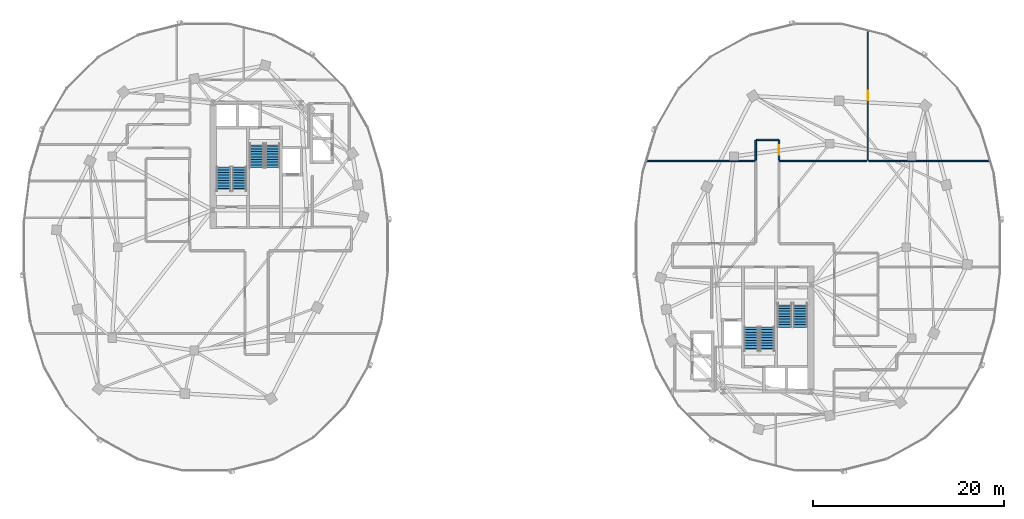
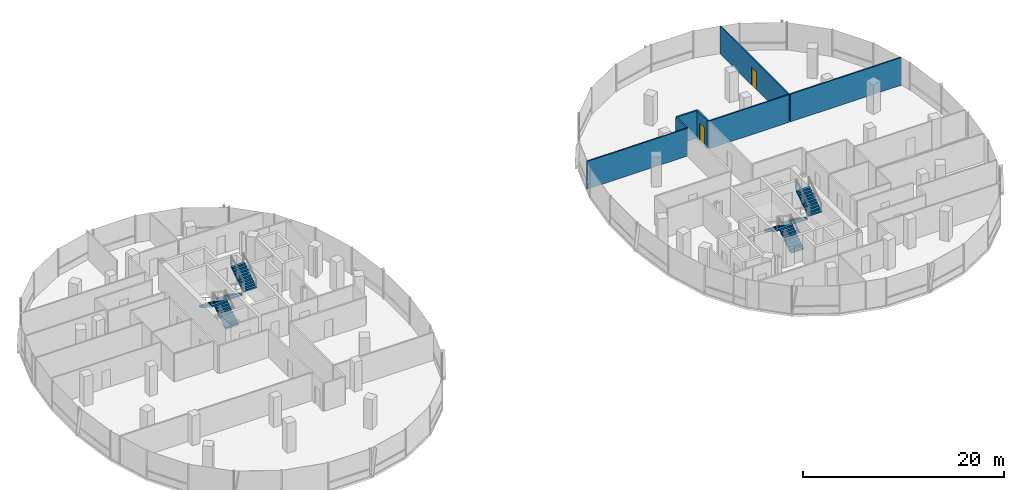
# One storey, part 15 of 22: 8 stair flights, 7 walls, 2 doors, 2 openings, 4 elements without a shape of their own.
"""IFC4 building model written with IfcOpenShell, lengths in metres."""

from ifc_helpers import new_model, si_unit, direction, frame, frame_2d, origin, place, context, subcontext, project, spatial, polyline, rectangle, outline, extrude, material, layer, layer_set, type_object, element, fill, aggregate, save


model = new_model("IFC4")

# Units and contexts
model_context = context("Model", 3, precision=1e-05, world=origin(), true_north=direction((0.0, 1.0)))
body_context = subcontext(model_context, "Body", "Model", "MODEL_VIEW")
ifc_project = project(units=[si_unit("LENGTHUNIT", "METRE"), si_unit("AREAUNIT", "SQUARE_METRE"), si_unit("VOLUMEUNIT", "CUBIC_METRE"), si_unit("PLANEANGLEUNIT", "RADIAN"), si_unit("MASSUNIT", "GRAM", prefix="KILO"), si_unit("THERMODYNAMICTEMPERATUREUNIT", "KELVIN"), si_unit("POWERUNIT", "WATT")], contexts=[model_context])

# Site, building, storey
site_placement = place(None, origin())
site = spatial("IfcSite", under=ifc_project, at=site_placement, CompositionType="ELEMENT")
building_placement = place(site_placement, origin())
building = spatial("IfcBuilding", under=site, at=building_placement, Name="Cundina Bronze Exchange", CompositionType="ELEMENT")
storey_placement = place(building_placement, frame((0.0, 0.0, 151.199951171875)))
storey = spatial("IfcBuildingStorey", under=building, at=storey_placement, Name="L39", CompositionType="ELEMENT", Elevation=151.199951171875)

# Walls
ifc_material_1 = material(Name="Gypsum Fireboard Partition EI120")
ifc_layer_1 = layer(ifc_material_1, 0.179931640625, Name="Gypsum Fireboard Partition EI120")
ifc_layer_set_1 = layer_set([ifc_layer_1], Name="Gypsum Fireboard Partition EI120")
wall_type_1 = type_object("IfcWallType", Name="WL-COR-180", PredefinedType="PARTITIONING", material=ifc_layer_set_1)
wall_1_placement = place(storey_placement, frame((27.87841796875, 11.219970703125, 0.0), z_axis=(0.0, 0.0, 1.0), x_axis=(-1.0, 0.0, 0.0)))
element("IfcWall", 1, at=wall_1_placement, inside=storey, type_object=wall_type_1, Name="L39 Interior Partition 081", PredefinedType="PARTITIONING", context=body_context, shape_type="SweptSolid", body=[
    extrude(rectangle(XDim=2.35693359375, YDim=0.179931640625, at=frame_2d((1.178466796875, 0.0))), origin(), (0.0, 0.0, 1.0), 3.360107421875),
])
wall_2_placement = place(storey_placement, frame((25.47998046875, 11.178466796875, 0.0), z_axis=(0.0, 0.0, 1.0), x_axis=(0.0, -1.0, 0.0)))
element("IfcWall", 2, at=wall_2_placement, inside=storey, type_object=wall_type_1, Name="L39 Interior Partition 082", PredefinedType="PARTITIONING", context=body_context, shape_type="SweptSolid", body=[
    extrude(rectangle(XDim=2.078369140625, YDim=0.179931640625, at=frame_2d((1.0390625, 0.0))), origin(), (0.0, 0.0, 1.0), 3.360107421875),
])

# Wall, opening, door
wall_3_placement = place(storey_placement, frame((27.919921875, 9.10009765625, 0.0), z_axis=(0.0, 0.0, 1.0), x_axis=(0.0, 1.0, 0.0)))
wall_3 = element("IfcWall", 3, at=wall_3_placement, inside=storey, type_object=wall_type_1, Name="L39 Interior Partition 083", PredefinedType="PARTITIONING", context=body_context, shape_type="SweptSolid", body=[
    extrude(rectangle(XDim=2.078369140625, YDim=0.179931640625, at=frame_2d((1.0390625, 0.0))), origin(), (0.0, 0.0, 1.0), 3.360107421875),
])
opening_1_placement = place(wall_3_placement, frame((0.539306640625, 0.0, 0.0)))
opening_1 = element("IfcOpeningElement", 4, at=opening_1_placement, cuts=wall_3, Name="Opening DO-01", PredefinedType="OPENING", context=body_context, shape_type="SweptSolid", body=[
    extrude(rectangle(XDim=1.0, YDim=2.14990234375, at=frame_2d((0.5, 1.074951171875))), frame((0.0, 0.099853515625, 0.0), z_axis=(0.0, -1.0, 0.0), x_axis=(1.0, 0.0, 0.0)), (0.0, 0.0, 1.0), 0.199951171875),
])
ifc_material_2 = material(Name="Solid Andean Oak Timber Grade A", Category="wood")
door_type = type_object("IfcDoorType", Name="DR-OFF-1000", OperationType="NOTDEFINED", PredefinedType="DOOR", material=ifc_material_2)
door_1_placement = place(opening_1_placement, origin())
door_1 = element("IfcDoor", 5, at=door_1_placement, inside=storey, type_object=door_type, Name="L39 Interior Door 083", OperationType="SINGLE_SWING_LEFT", OverallHeight=2.14990234375, OverallWidth=1.0, PredefinedType="DOOR", context=body_context, shape_type="SweptSolid", body=[
    extrude(rectangle(XDim=1.0, YDim=2.14990234375, at=frame_2d((0.5, 1.074951171875))), frame((0.0, 0.02490234375, 0.0), z_axis=(0.0, -1.0, 0.0), x_axis=(1.0, 0.0, 0.0)), (0.0, 0.0, 1.0), 0.050048828125),
])
fill(opening_1, door_1)

ifc_material_3 = material(Name="Gypsum Acoustic Partition EI60")
ifc_layer_2 = layer(ifc_material_3, 0.125, Name="Gypsum Acoustic Partition EI60")
ifc_layer_set_2 = layer_set([ifc_layer_2], Name="Gypsum Acoustic Partition EI60")
wall_type_2 = type_object("IfcWallType", Name="WL-OFF-125", PredefinedType="PARTITIONING", material=ifc_layer_set_2)
wall_4_placement = place(storey_placement, frame((37.18994140625, 9.10009765625, 0.0), z_axis=(0.0, 0.0, 1.0), x_axis=(0.0, 1.0, 0.0)))
wall_4 = element("IfcWall", 6, at=wall_4_placement, inside=storey, type_object=wall_type_2, Name="L39 Interior Partition 085", PredefinedType="PARTITIONING", context=body_context, shape_type="SweptSolid", body=[
    extrude(rectangle(XDim=13.531982421875, YDim=0.125, at=frame_2d((6.76611328125, 0.0))), origin(), (0.0, 0.0, 1.0), 3.360107421875),
])
opening_2_placement = place(wall_4_placement, frame((6.26611328125, 0.0, 0.0)))
opening_2 = element("IfcOpeningElement", 7, at=opening_2_placement, cuts=wall_4, Name="Opening DO-01", PredefinedType="OPENING", context=body_context, shape_type="SweptSolid", body=[
    extrude(rectangle(XDim=1.0, YDim=2.14990234375, at=frame_2d((0.5, 1.074951171875))), frame((0.0, 0.072509765625, 0.0), z_axis=(0.0, -1.0, 0.0), x_axis=(1.0, 0.0, 0.0)), (0.0, 0.0, 1.0), 0.14501953125),
])
door_2_placement = place(opening_2_placement, origin())
door_2 = element("IfcDoor", 8, at=door_2_placement, inside=storey, type_object=door_type, Name="L39 Interior Door 085", OperationType="SINGLE_SWING_LEFT", OverallHeight=2.14990234375, OverallWidth=1.0, PredefinedType="DOOR", context=body_context, shape_type="SweptSolid", body=[
    extrude(rectangle(XDim=1.0, YDim=2.14990234375, at=frame_2d((0.5, 1.074951171875))), frame((0.0, 0.02490234375, 0.0), z_axis=(0.0, -1.0, 0.0), x_axis=(1.0, 0.0, 0.0)), (0.0, 0.0, 1.0), 0.050048828125),
])
fill(opening_2, door_2)

# Walls
ifc_layer_3 = layer(ifc_material_3, 0.14990234375, Name="Gypsum Acoustic Partition EI60")
ifc_layer_set_3 = layer_set([ifc_layer_3], Name="Gypsum Acoustic Partition EI60")
wall_type_3 = type_object("IfcWallType", Name="WL-TEN-150", PredefinedType="PARTITIONING", material=ifc_layer_set_3)
wall_5_placement = place(storey_placement, frame((13.95458984375, 9.010009765625, 0.0), z_axis=(0.0, 0.0, 1.0), x_axis=(1.0, 0.0, 0.0)))
element("IfcWall", 9, at=wall_5_placement, inside=storey, type_object=wall_type_3, Name="L39 Interior Partition 058", PredefinedType="PARTITIONING", context=body_context, shape_type="SweptSolid", body=[
    extrude(rectangle(XDim=11.495361328125, YDim=0.14990234375, at=frame_2d((5.74755859375, 0.0))), origin(), (0.0, 0.0, 1.0), 3.360107421875),
])
wall_6_placement = place(storey_placement, frame((27.949951171875, 9.010009765625, 0.0), z_axis=(0.0, 0.0, 1.0), x_axis=(1.0, 0.0, 0.0)))
element("IfcWall", 10, at=wall_6_placement, inside=storey, type_object=wall_type_3, Name="L39 Interior Partition 059", PredefinedType="PARTITIONING", context=body_context, shape_type="SweptSolid", body=[
    extrude(rectangle(XDim=9.155029296875, YDim=0.14990234375, at=frame_2d((4.57763671875, 0.0))), origin(), (0.0, 0.0, 1.0), 3.360107421875),
])
wall_7_placement = place(storey_placement, frame((37.27490234375, 9.010009765625, 0.0), z_axis=(0.0, 0.0, 1.0), x_axis=(1.0, 0.0, 0.0)))
element("IfcWall", 11, at=wall_7_placement, inside=storey, type_object=wall_type_3, Name="L39 Interior Partition 060", PredefinedType="PARTITIONING", context=body_context, shape_type="SweptSolid", body=[
    extrude(rectangle(XDim=12.7705078125, YDim=0.14990234375, at=frame_2d((6.38525390625, 0.0))), origin(), (0.0, 0.0, 1.0), 3.360107421875),
])

# Stair, stair flights
ifc_material_4 = material(Name="Concrete C40/50", Category="concrete")
stair_type = type_object("IfcStairType", Name="STR-OFF-360", PredefinedType="HALF_TURN_STAIR", material=ifc_material_4)
stair_1_placement = place(storey_placement, origin())
stair_1 = element("IfcStair", 12, at=stair_1_placement, inside=storey, type_object=stair_type, Name="L39 Smokeproof Exit Stair W1", PredefinedType="HALF_TURN_STAIR")
stair_flight_type = type_object("IfcStairFlightType", Name="FLG-OFF-180", PredefinedType="STRAIGHT", material=ifc_material_4)
stair_flight_1_placement = place(storey_placement, frame((-28.489990234375, 5.85009765625, 0.0), z_axis=(0.0, 0.0, 1.0), x_axis=(0.0, 1.0, 0.0)))
stair_flight_1 = element("IfcStairFlight", 13, at=stair_flight_1_placement, type_object=stair_flight_type, Name="ST-W1 flight 1", NumberOfRisers=10, NumberOfTreads=9, PredefinedType="STRAIGHT", RiserHeight=0.18, TreadLength=0.28, context=body_context, shape_type="SweptSolid", body=[
    extrude(outline(polyline([(0.0, 0.0), (0.0, 0.179931640625), (0.280029296875, 0.179931640625), (0.280029296875, 0.360107421875), (0.56005859375, 0.360107421875), (0.56005859375, 0.5400390625), (0.840087890625, 0.5400390625), (0.840087890625, 0.719970703125), (1.1201171875, 0.719970703125), (1.1201171875, 0.89990234375), (1.39990234375, 0.89990234375), (1.39990234375, 1.080078125), (1.679931640625, 1.080078125), (1.679931640625, 1.260009765625), (1.9599609375, 1.260009765625), (1.9599609375, 1.43994140625), (2.239990234375, 1.43994140625), (2.239990234375, 1.6201171875), (2.52001953125, 1.6201171875), (2.52001953125, 1.800048828125), (2.52001953125, 1.44189453125), (0.277099609375, 0.0), (0.0, 0.0)])), frame((0.0, 0.75, 0.0), z_axis=(0.0, -1.0, 0.0), x_axis=(1.0, 0.0, 0.0)), (0.0, 0.0, 1.0), 1.5),
])
stair_flight_2_placement = place(storey_placement, frame((-30.14990234375, 8.3701171875, 1.800048828125), z_axis=(0.0, 0.0, 1.0), x_axis=(0.0, -1.0, 0.0)))
stair_flight_2 = element("IfcStairFlight", 14, at=stair_flight_2_placement, type_object=stair_flight_type, Name="ST-W1 flight 2", NumberOfRisers=10, NumberOfTreads=9, PredefinedType="STRAIGHT", RiserHeight=0.18, TreadLength=0.28, context=body_context, shape_type="SweptSolid", body=[
    extrude(outline(polyline([(0.0, 0.0), (0.0, 0.179931640625), (0.280029296875, 0.179931640625), (0.280029296875, 0.360107421875), (0.56005859375, 0.360107421875), (0.56005859375, 0.5400390625), (0.840087890625, 0.5400390625), (0.840087890625, 0.719970703125), (1.1201171875, 0.719970703125), (1.1201171875, 0.89990234375), (1.39990234375, 0.89990234375), (1.39990234375, 1.080078125), (1.679931640625, 1.080078125), (1.679931640625, 1.260009765625), (1.9599609375, 1.260009765625), (1.9599609375, 1.43994140625), (2.239990234375, 1.43994140625), (2.239990234375, 1.6201171875), (2.52001953125, 1.6201171875), (2.52001953125, 1.800048828125), (2.52001953125, 1.44189453125), (0.277099609375, 0.0), (0.0, 0.0)])), frame((0.0, 0.75, 0.0), z_axis=(0.0, -1.0, 0.0), x_axis=(1.0, 0.0, 0.0)), (0.0, 0.0, 1.0), 1.5),
])
aggregate(stair_1, [stair_flight_1, stair_flight_2])

stair_2_placement = place(storey_placement, origin())
stair_2 = element("IfcStair", 15, at=stair_2_placement, inside=storey, type_object=stair_type, Name="L39 Smokeproof Exit Stair W2", PredefinedType="HALF_TURN_STAIR")
stair_flight_3_placement = place(storey_placement, frame((-26.68994140625, 10.85009765625, 0.0), z_axis=(0.0, 0.0, 1.0), x_axis=(0.0, -1.0, 0.0)))
stair_flight_3 = element("IfcStairFlight", 16, at=stair_flight_3_placement, type_object=stair_flight_type, Name="ST-W2 flight 1", NumberOfRisers=10, NumberOfTreads=9, PredefinedType="STRAIGHT", RiserHeight=0.18, TreadLength=0.28, context=body_context, shape_type="SweptSolid", body=[
    extrude(outline(polyline([(0.0, 0.0), (0.0, 0.179931640625), (0.280029296875, 0.179931640625), (0.280029296875, 0.360107421875), (0.56005859375, 0.360107421875), (0.56005859375, 0.5400390625), (0.840087890625, 0.5400390625), (0.840087890625, 0.719970703125), (1.1201171875, 0.719970703125), (1.1201171875, 0.89990234375), (1.39990234375, 0.89990234375), (1.39990234375, 1.080078125), (1.679931640625, 1.080078125), (1.679931640625, 1.260009765625), (1.9599609375, 1.260009765625), (1.9599609375, 1.43994140625), (2.239990234375, 1.43994140625), (2.239990234375, 1.6201171875), (2.52001953125, 1.6201171875), (2.52001953125, 1.800048828125), (2.52001953125, 1.44189453125), (0.277099609375, 0.0), (0.0, 0.0)])), frame((0.0, 0.75, 0.0), z_axis=(0.0, -1.0, 0.0), x_axis=(1.0, 0.0, 0.0)), (0.0, 0.0, 1.0), 1.5),
])
stair_flight_4_placement = place(storey_placement, frame((-25.030029296875, 8.330078125, 1.800048828125), z_axis=(0.0, 0.0, 1.0), x_axis=(0.0, 1.0, 0.0)))
stair_flight_4 = element("IfcStairFlight", 17, at=stair_flight_4_placement, type_object=stair_flight_type, Name="ST-W2 flight 2", NumberOfRisers=10, NumberOfTreads=9, PredefinedType="STRAIGHT", RiserHeight=0.18, TreadLength=0.28, context=body_context, shape_type="SweptSolid", body=[
    extrude(outline(polyline([(0.0, 0.0), (0.0, 0.179931640625), (0.280029296875, 0.179931640625), (0.280029296875, 0.360107421875), (0.56005859375, 0.360107421875), (0.56005859375, 0.5400390625), (0.840087890625, 0.5400390625), (0.840087890625, 0.719970703125), (1.1201171875, 0.719970703125), (1.1201171875, 0.89990234375), (1.39990234375, 0.89990234375), (1.39990234375, 1.080078125), (1.679931640625, 1.080078125), (1.679931640625, 1.260009765625), (1.9599609375, 1.260009765625), (1.9599609375, 1.43994140625), (2.239990234375, 1.43994140625), (2.239990234375, 1.6201171875), (2.52001953125, 1.6201171875), (2.52001953125, 1.800048828125), (2.52001953125, 1.44189453125), (0.277099609375, 0.0), (0.0, 0.0)])), frame((0.0, 0.75, 0.0), z_axis=(0.0, -1.0, 0.0), x_axis=(1.0, 0.0, 0.0)), (0.0, 0.0, 1.0), 1.5),
])
aggregate(stair_2, [stair_flight_3, stair_flight_4])

stair_3_placement = place(storey_placement, origin())
stair_3 = element("IfcStair", 18, at=stair_3_placement, inside=storey, type_object=stair_type, Name="L39 Smokeproof Exit Stair E1", PredefinedType="HALF_TURN_STAIR")
stair_flight_5_placement = place(storey_placement, frame((28.489990234375, -5.85009765625, 0.0), z_axis=(0.0, 0.0, 1.0), x_axis=(0.0, -1.0, 0.0)))
stair_flight_5 = element("IfcStairFlight", 19, at=stair_flight_5_placement, type_object=stair_flight_type, Name="ST-E1 flight 1", NumberOfRisers=10, NumberOfTreads=9, PredefinedType="STRAIGHT", RiserHeight=0.18, TreadLength=0.28, context=body_context, shape_type="SweptSolid", body=[
    extrude(outline(polyline([(0.0, 0.0), (0.0, 0.179931640625), (0.280029296875, 0.179931640625), (0.280029296875, 0.360107421875), (0.56005859375, 0.360107421875), (0.56005859375, 0.5400390625), (0.840087890625, 0.5400390625), (0.840087890625, 0.719970703125), (1.1201171875, 0.719970703125), (1.1201171875, 0.89990234375), (1.39990234375, 0.89990234375), (1.39990234375, 1.080078125), (1.679931640625, 1.080078125), (1.679931640625, 1.260009765625), (1.9599609375, 1.260009765625), (1.9599609375, 1.43994140625), (2.239990234375, 1.43994140625), (2.239990234375, 1.6201171875), (2.52001953125, 1.6201171875), (2.52001953125, 1.800048828125), (2.52001953125, 1.44189453125), (0.277099609375, 0.0), (0.0, 0.0)])), frame((0.0, 0.75, 0.0), z_axis=(0.0, -1.0, 0.0), x_axis=(1.0, 0.0, 0.0)), (0.0, 0.0, 1.0), 1.5),
])
stair_flight_6_placement = place(storey_placement, frame((30.14990234375, -8.3701171875, 1.800048828125), z_axis=(0.0, 0.0, 1.0), x_axis=(0.0, 1.0, 0.0)))
stair_flight_6 = element("IfcStairFlight", 20, at=stair_flight_6_placement, type_object=stair_flight_type, Name="ST-E1 flight 2", NumberOfRisers=10, NumberOfTreads=9, PredefinedType="STRAIGHT", RiserHeight=0.18, TreadLength=0.28, context=body_context, shape_type="SweptSolid", body=[
    extrude(outline(polyline([(0.0, 0.0), (0.0, 0.179931640625), (0.280029296875, 0.179931640625), (0.280029296875, 0.360107421875), (0.56005859375, 0.360107421875), (0.56005859375, 0.5400390625), (0.840087890625, 0.5400390625), (0.840087890625, 0.719970703125), (1.1201171875, 0.719970703125), (1.1201171875, 0.89990234375), (1.39990234375, 0.89990234375), (1.39990234375, 1.080078125), (1.679931640625, 1.080078125), (1.679931640625, 1.260009765625), (1.9599609375, 1.260009765625), (1.9599609375, 1.43994140625), (2.239990234375, 1.43994140625), (2.239990234375, 1.6201171875), (2.52001953125, 1.6201171875), (2.52001953125, 1.800048828125), (2.52001953125, 1.44189453125), (0.277099609375, 0.0), (0.0, 0.0)])), frame((0.0, 0.75, 0.0), z_axis=(0.0, -1.0, 0.0), x_axis=(1.0, 0.0, 0.0)), (0.0, 0.0, 1.0), 1.5),
])
aggregate(stair_3, [stair_flight_5, stair_flight_6])

stair_4_placement = place(storey_placement, origin())
stair_4 = element("IfcStair", 21, at=stair_4_placement, inside=storey, type_object=stair_type, Name="L39 Smokeproof Exit Stair E2", PredefinedType="HALF_TURN_STAIR")
stair_flight_7_placement = place(storey_placement, frame((26.68994140625, -10.85009765625, 0.0), z_axis=(0.0, 0.0, 1.0), x_axis=(0.0, 1.0, 0.0)))
stair_flight_7 = element("IfcStairFlight", 22, at=stair_flight_7_placement, type_object=stair_flight_type, Name="ST-E2 flight 1", NumberOfRisers=10, NumberOfTreads=9, PredefinedType="STRAIGHT", RiserHeight=0.18, TreadLength=0.28, context=body_context, shape_type="SweptSolid", body=[
    extrude(outline(polyline([(0.0, 0.0), (0.0, 0.179931640625), (0.280029296875, 0.179931640625), (0.280029296875, 0.360107421875), (0.56005859375, 0.360107421875), (0.56005859375, 0.5400390625), (0.840087890625, 0.5400390625), (0.840087890625, 0.719970703125), (1.1201171875, 0.719970703125), (1.1201171875, 0.89990234375), (1.39990234375, 0.89990234375), (1.39990234375, 1.080078125), (1.679931640625, 1.080078125), (1.679931640625, 1.260009765625), (1.9599609375, 1.260009765625), (1.9599609375, 1.43994140625), (2.239990234375, 1.43994140625), (2.239990234375, 1.6201171875), (2.52001953125, 1.6201171875), (2.52001953125, 1.800048828125), (2.52001953125, 1.44189453125), (0.277099609375, 0.0), (0.0, 0.0)])), frame((0.0, 0.75, 0.0), z_axis=(0.0, -1.0, 0.0), x_axis=(1.0, 0.0, 0.0)), (0.0, 0.0, 1.0), 1.5),
])
stair_flight_8_placement = place(storey_placement, frame((25.030029296875, -8.330078125, 1.800048828125), z_axis=(0.0, 0.0, 1.0), x_axis=(0.0, -1.0, 0.0)))
stair_flight_8 = element("IfcStairFlight", 23, at=stair_flight_8_placement, type_object=stair_flight_type, Name="ST-E2 flight 2", NumberOfRisers=10, NumberOfTreads=9, PredefinedType="STRAIGHT", RiserHeight=0.18, TreadLength=0.28, context=body_context, shape_type="SweptSolid", body=[
    extrude(outline(polyline([(0.0, 0.0), (0.0, 0.179931640625), (0.280029296875, 0.179931640625), (0.280029296875, 0.360107421875), (0.56005859375, 0.360107421875), (0.56005859375, 0.5400390625), (0.840087890625, 0.5400390625), (0.840087890625, 0.719970703125), (1.1201171875, 0.719970703125), (1.1201171875, 0.89990234375), (1.39990234375, 0.89990234375), (1.39990234375, 1.080078125), (1.679931640625, 1.080078125), (1.679931640625, 1.260009765625), (1.9599609375, 1.260009765625), (1.9599609375, 1.43994140625), (2.239990234375, 1.43994140625), (2.239990234375, 1.6201171875), (2.52001953125, 1.6201171875), (2.52001953125, 1.800048828125), (2.52001953125, 1.44189453125), (0.277099609375, 0.0), (0.0, 0.0)])), frame((0.0, 0.75, 0.0), z_axis=(0.0, -1.0, 0.0), x_axis=(1.0, 0.0, 0.0)), (0.0, 0.0, 1.0), 1.5),
])
aggregate(stair_4, [stair_flight_7, stair_flight_8])

save(model, "model.ifc")
